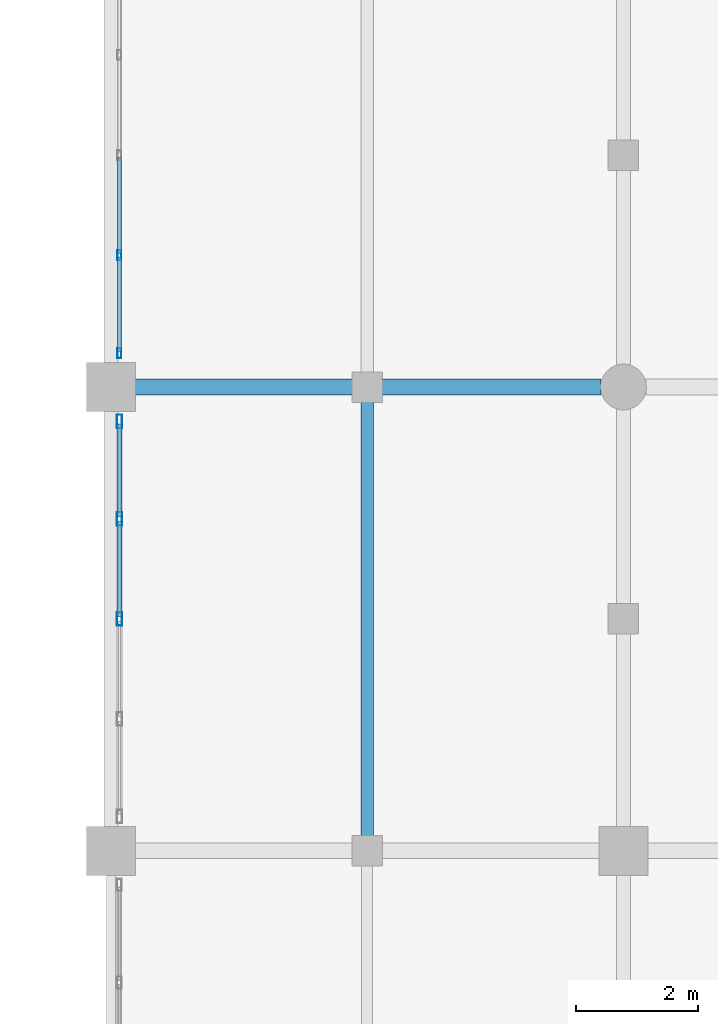
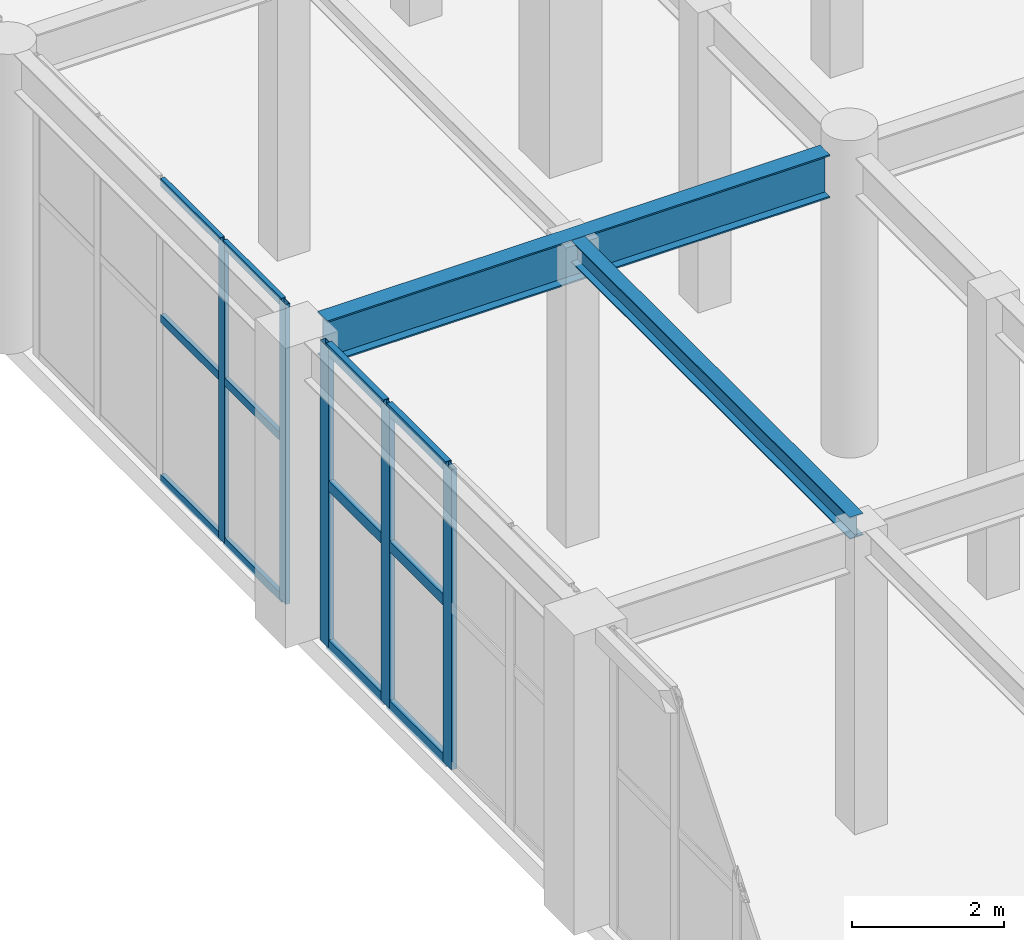
# One storey, part 30 of 128: 17 members, 2 beams, 2 elements without a shape of their own.
"""IFC4 building model written with IfcOpenShell, lengths in metres."""

from ifc_helpers import new_model, si_unit, direction, frame, origin, origin_2d, place, context, subcontext, project, spatial, hollow_rectangle, i_section, extrude, material, layer, layer_set, material_profile, profile_set, type_object, element, aggregate, save


model = new_model("IFC4")

# Units and contexts
model_context = context("Model", 3, precision=1e-05, world=origin(), true_north=direction((0.0, 1.0)))
body_context = subcontext(model_context, "Body", "Model", "MODEL_VIEW")
ifc_project = project(units=[si_unit("LENGTHUNIT", "METRE"), si_unit("AREAUNIT", "SQUARE_METRE"), si_unit("VOLUMEUNIT", "CUBIC_METRE"), si_unit("PLANEANGLEUNIT", "RADIAN"), si_unit("MASSUNIT", "GRAM", prefix="KILO")], contexts=[model_context])

# Site, building, storey
site_placement = place(None, origin())
site = spatial("IfcSite", under=ifc_project, at=site_placement, CompositionType="ELEMENT")
building_placement = place(site_placement, origin())
building = spatial("IfcBuilding", under=site, at=building_placement, Name="Xicomal Pleat Aquarium", CompositionType="ELEMENT")
storey_placement = place(building_placement, frame((0.0, 0.0, 5.39990234375)))
storey = spatial("IfcBuildingStorey", under=building, at=storey_placement, Name="L02", CompositionType="ELEMENT", Elevation=5.39990234375)

# Beams
ifc_material_1 = material(Name="Structural steel A992 Gr 50", Category="steel")
ifc_material_profile_1 = material_profile(ifc_material_1, i_section(OverallWidth=0.205078125, OverallDepth=0.35400390625, WebThickness=0.009521484375, FlangeThickness=0.016845703125, at=origin_2d()), Name="IR 360x79")
ifc_profile_set_1 = profile_set([ifc_material_profile_1], Name="Structural steel A992 Gr 50")
beam_type_1 = type_object("IfcBeamType", Name="BM-STL-IR360", PredefinedType="JOIST", material=ifc_profile_set_1)
beam_1_placement = place(storey_placement, frame((48.0, 45.73095703125, 4.64306640625), z_axis=(0.0, 1.0, 0.0), x_axis=(-1.0, 0.0, 0.0)))
element("IfcBeam", 1, at=beam_1_placement, inside=storey, type_object=beam_type_1, Name="L02 framing beam FBJ-L02-06-G-1", PredefinedType="JOIST", context=body_context, shape_type="SweptSolid", body=[
    extrude(i_section(OverallWidth=0.205078125, OverallDepth=0.35400390625, WebThickness=0.009521484375, FlangeThickness=0.016845703125, at=origin_2d()), origin(), (0.0, 0.0, 1.0), 7.338134765625),
])
ifc_material_2 = material(Name="Structural steel A992 Gr 50", Category="steel")
ifc_material_profile_2 = material_profile(ifc_material_2, i_section(OverallWidth=0.256103515625, OverallDepth=0.693115234375, WebThickness=0.014404296875, FlangeThickness=0.023681640625, at=origin_2d()), Name="IR 690x170")
ifc_profile_set_2 = profile_set([ifc_material_profile_2], Name="Structural steel A992 Gr 50")
beam_type_2 = type_object("IfcBeamType", Name="BM-STL-IR690", PredefinedType="BEAM", material=ifc_profile_set_2)
beam_2_placement = place(storey_placement, frame((44.195068359375, 53.199951171875, 4.4736328125), z_axis=(1.0, 0.0, 0.0), x_axis=(0.0, 1.0, 0.0)))
element("IfcBeam", 2, at=beam_2_placement, inside=storey, type_object=beam_type_2, Name="L02 framing beam FGX-L02-06-07-H", PredefinedType="BEAM", context=body_context, shape_type="SweptSolid", body=[
    extrude(i_section(OverallWidth=0.256103515625, OverallDepth=0.693115234375, WebThickness=0.014404296875, FlangeThickness=0.023681640625, at=origin_2d()), origin(), (0.0, 0.0, 1.0), 7.635009765625),
])

# Curtain wall, members
ifc_material_3 = material(Name="Bronze anodized aluminium 6063-T6", Category="aluminium")
ifc_layer_1 = layer(ifc_material_3, 0.159912109375)
ifc_layer_set_1 = layer_set([ifc_layer_1], Name="Bronze anodized aluminium 6063-T6")
curtain_wall_type_1 = type_object("IfcCurtainWallType", Name="CW-SYS-02", PredefinedType="NOTDEFINED", material=ifc_layer_set_1)
curtain_wall_1_placement = place(storey_placement, origin())
curtain_wall_1 = element("IfcCurtainWall", 3, at=curtain_wall_1_placement, inside=storey, type_object=curtain_wall_type_1, Name="L02 unitised curtain wall CW-L02-099", PredefinedType="NOTDEFINED")
ifc_material_4 = material(Name="Bronze anodized aluminium 6063-T6", Category="aluminium")
ifc_material_profile_3 = material_profile(ifc_material_4, hollow_rectangle(XDim=0.06494140625, YDim=0.159912109375, WallThickness=0.00390625, at=origin_2d()), Name="ALU MULL 65x160")
ifc_profile_set_3 = profile_set([ifc_material_profile_3], Name="Bronze anodized aluminium 6063-T6")
member_type_1 = type_object("IfcMemberType", Name="CWM-65x160", PredefinedType="MULLION", material=ifc_profile_set_3)
member_1_placement = place(storey_placement, frame((43.93994140625, 53.75244140625, 0.0), z_axis=(0.0, 0.0, 1.0), x_axis=(-1.0, 0.0, 0.0)))
member_1 = element("IfcMember", 4, at=member_1_placement, type_object=member_type_1, Name="CW-02 mullion 1", PredefinedType="MULLION", context=body_context, shape_type="SweptSolid", body=[
    extrude(hollow_rectangle(XDim=0.06494140625, YDim=0.159912109375, WallThickness=0.00390625, at=origin_2d()), origin(), (0.0, 0.0, 1.0), 4.820068359375),
])
member_2_placement = place(storey_placement, frame((43.93994140625, 55.360107421875, 0.0), z_axis=(0.0, 0.0, 1.0), x_axis=(-1.0, 0.0, 0.0)))
member_2 = element("IfcMember", 5, at=member_2_placement, type_object=member_type_1, Name="CW-02 mullion 2", PredefinedType="MULLION", context=body_context, shape_type="SweptSolid", body=[
    extrude(hollow_rectangle(XDim=0.06494140625, YDim=0.159912109375, WallThickness=0.00390625, at=origin_2d()), origin(), (0.0, 0.0, 1.0), 4.820068359375),
])

ifc_material_5 = material(Name="Bronze anodized aluminium 6063-T6", Category="aluminium")
ifc_layer_2 = layer(ifc_material_5, 0.159912109375)
ifc_layer_set_2 = layer_set([ifc_layer_2], Name="Bronze anodized aluminium 6063-T6")
curtain_wall_type_2 = type_object("IfcCurtainWallType", Name="CW-SYS-12", PredefinedType="NOTDEFINED", material=ifc_layer_set_2)
curtain_wall_2_placement = place(storey_placement, origin())
curtain_wall_2 = element("IfcCurtainWall", 6, at=curtain_wall_2_placement, inside=storey, type_object=curtain_wall_type_2, Name="L02 unitised curtain wall CW-L02-098", PredefinedType="NOTDEFINED")
ifc_material_6 = material(Name="Bronze anodized aluminium 6063-T6", Category="aluminium")
ifc_material_profile_4 = material_profile(ifc_material_6, hollow_rectangle(XDim=0.0849609375, YDim=0.219970703125, WallThickness=0.0048828125, at=origin_2d()), Name="ALU MULL 85x220")
ifc_profile_set_4 = profile_set([ifc_material_profile_4], Name="Bronze anodized aluminium 6063-T6")
member_type_2 = type_object("IfcMemberType", Name="CWM-85x220", PredefinedType="MULLION", material=ifc_profile_set_4)
member_3_placement = place(storey_placement, frame((43.93994140625, 49.39990234375, 0.0), z_axis=(0.0, 0.0, 1.0), x_axis=(-1.0, 0.0, 0.0)))
member_3 = element("IfcMember", 7, at=member_3_placement, type_object=member_type_2, Name="CW-12 mullion 3", PredefinedType="MULLION", context=body_context, shape_type="SweptSolid", body=[
    extrude(hollow_rectangle(XDim=0.0849609375, YDim=0.219970703125, WallThickness=0.0048828125, at=origin_2d()), origin(), (0.0, 0.0, 1.0), 4.820068359375),
])
member_4_placement = place(storey_placement, frame((43.93994140625, 51.0400390625, 0.0), z_axis=(0.0, 0.0, 1.0), x_axis=(-1.0, 0.0, 0.0)))
member_4 = element("IfcMember", 8, at=member_4_placement, type_object=member_type_2, Name="CW-12 mullion 4", PredefinedType="MULLION", context=body_context, shape_type="SweptSolid", body=[
    extrude(hollow_rectangle(XDim=0.0849609375, YDim=0.219970703125, WallThickness=0.0048828125, at=origin_2d()), origin(), (0.0, 0.0, 1.0), 4.820068359375),
])
member_5_placement = place(storey_placement, frame((43.93994140625, 52.637451171875, 0.0), z_axis=(0.0, 0.0, 1.0), x_axis=(-1.0, 0.0, 0.0)))
member_5 = element("IfcMember", 9, at=member_5_placement, type_object=member_type_2, Name="CW-12 mullion 5", PredefinedType="MULLION", context=body_context, shape_type="SweptSolid", body=[
    extrude(hollow_rectangle(XDim=0.0849609375, YDim=0.219970703125, WallThickness=0.0048828125, at=origin_2d()), origin(), (0.0, 0.0, 1.0), 4.820068359375),
])

# Member
ifc_material_7 = material(Name="Bronze anodized aluminium 6063-T6", Category="aluminium")
ifc_material_profile_5 = material_profile(ifc_material_7, hollow_rectangle(XDim=0.06494140625, YDim=0.1298828125, WallThickness=0.00390625, at=origin_2d()), Name="ALU TRAN 65x130")
ifc_profile_set_5 = profile_set([ifc_material_profile_5], Name="Bronze anodized aluminium 6063-T6")
member_type_3 = type_object("IfcMemberType", Name="CWT-65x130", PredefinedType="USERDEFINED", material=ifc_profile_set_5)
member_6_placement = place(storey_placement, frame((43.93994140625, 53.784912109375, 0.03271484375), z_axis=(0.0, 1.0, 0.0), x_axis=(-1.0, 0.0, 0.0)))
member_6 = element("IfcMember", 10, at=member_6_placement, type_object=member_type_3, Name="CW-02 transom 1.1", ObjectType="TRANSOM", PredefinedType="USERDEFINED", context=body_context, shape_type="SweptSolid", body=[
    extrude(hollow_rectangle(XDim=0.06494140625, YDim=0.1298828125, WallThickness=0.00390625, at=origin_2d()), origin(), (0.0, 0.0, 1.0), 1.54248046875),
])

member_7_placement = place(storey_placement, frame((43.93994140625, 53.784912109375, 2.60302734375), z_axis=(0.0, 1.0, 0.0), x_axis=(-1.0, 0.0, 0.0)))
member_7 = element("IfcMember", 11, at=member_7_placement, type_object=member_type_3, Name="CW-02 transom 1.2", ObjectType="TRANSOM", PredefinedType="USERDEFINED", context=body_context, shape_type="SweptSolid", body=[
    extrude(hollow_rectangle(XDim=0.06494140625, YDim=0.1298828125, WallThickness=0.00390625, at=origin_2d()), origin(), (0.0, 0.0, 1.0), 1.54248046875),
])

member_8_placement = place(storey_placement, frame((43.93994140625, 53.784912109375, 4.78759765625), z_axis=(0.0, 1.0, 0.0), x_axis=(-1.0, 0.0, 0.0)))
member_8 = element("IfcMember", 12, at=member_8_placement, type_object=member_type_3, Name="CW-02 transom 1.3", ObjectType="TRANSOM", PredefinedType="USERDEFINED", context=body_context, shape_type="SweptSolid", body=[
    extrude(hollow_rectangle(XDim=0.06494140625, YDim=0.1298828125, WallThickness=0.00390625, at=origin_2d()), origin(), (0.0, 0.0, 1.0), 1.54248046875),
])

member_9_placement = place(storey_placement, frame((43.93994140625, 55.392578125, 0.03271484375), z_axis=(0.0, 1.0, 0.0), x_axis=(-1.0, 0.0, 0.0)))
member_9 = element("IfcMember", 13, at=member_9_placement, type_object=member_type_3, Name="CW-02 transom 2.1", ObjectType="TRANSOM", PredefinedType="USERDEFINED", context=body_context, shape_type="SweptSolid", body=[
    extrude(hollow_rectangle(XDim=0.06494140625, YDim=0.1298828125, WallThickness=0.00390625, at=origin_2d()), origin(), (0.0, 0.0, 1.0), 1.574951171875),
])

member_10_placement = place(storey_placement, frame((43.93994140625, 55.392578125, 2.60302734375), z_axis=(0.0, 1.0, 0.0), x_axis=(-1.0, 0.0, 0.0)))
member_10 = element("IfcMember", 14, at=member_10_placement, type_object=member_type_3, Name="CW-02 transom 2.2", ObjectType="TRANSOM", PredefinedType="USERDEFINED", context=body_context, shape_type="SweptSolid", body=[
    extrude(hollow_rectangle(XDim=0.06494140625, YDim=0.1298828125, WallThickness=0.00390625, at=origin_2d()), origin(), (0.0, 0.0, 1.0), 1.574951171875),
])

member_11_placement = place(storey_placement, frame((43.93994140625, 55.392578125, 4.78759765625), z_axis=(0.0, 1.0, 0.0), x_axis=(-1.0, 0.0, 0.0)))
member_11 = element("IfcMember", 15, at=member_11_placement, type_object=member_type_3, Name="CW-02 transom 2.3", ObjectType="TRANSOM", PredefinedType="USERDEFINED", context=body_context, shape_type="SweptSolid", body=[
    extrude(hollow_rectangle(XDim=0.06494140625, YDim=0.1298828125, WallThickness=0.00390625, at=origin_2d()), origin(), (0.0, 0.0, 1.0), 1.574951171875),
])

aggregate(curtain_wall_1, [member_1, member_2, member_6, member_7, member_8, member_9, member_10, member_11])

ifc_material_8 = material(Name="Bronze anodized aluminium 6063-T6", Category="aluminium")
ifc_material_profile_6 = material_profile(ifc_material_8, hollow_rectangle(XDim=0.0849609375, YDim=0.169921875, WallThickness=0.0048828125, at=origin_2d()), Name="ALU TRAN 85x170")
ifc_profile_set_6 = profile_set([ifc_material_profile_6], Name="Bronze anodized aluminium 6063-T6")
member_type_4 = type_object("IfcMemberType", Name="CWT-85x170", PredefinedType="USERDEFINED", material=ifc_profile_set_6)
member_12_placement = place(storey_placement, frame((43.93994140625, 49.4423828125, 0.04248046875), z_axis=(0.0, 1.0, 0.0), x_axis=(-1.0, 0.0, 0.0)))
member_12 = element("IfcMember", 16, at=member_12_placement, type_object=member_type_4, Name="CW-12 transom 3.1", ObjectType="TRANSOM", PredefinedType="USERDEFINED", context=body_context, shape_type="SweptSolid", body=[
    extrude(hollow_rectangle(XDim=0.0849609375, YDim=0.169921875, WallThickness=0.0048828125, at=origin_2d()), origin(), (0.0, 0.0, 1.0), 1.55517578125),
])

member_13_placement = place(storey_placement, frame((43.93994140625, 49.4423828125, 2.60302734375), z_axis=(0.0, 1.0, 0.0), x_axis=(-1.0, 0.0, 0.0)))
member_13 = element("IfcMember", 17, at=member_13_placement, type_object=member_type_4, Name="CW-12 transom 3.2", ObjectType="TRANSOM", PredefinedType="USERDEFINED", context=body_context, shape_type="SweptSolid", body=[
    extrude(hollow_rectangle(XDim=0.0849609375, YDim=0.169921875, WallThickness=0.0048828125, at=origin_2d()), origin(), (0.0, 0.0, 1.0), 1.55517578125),
])

member_14_placement = place(storey_placement, frame((43.93994140625, 49.4423828125, 4.777587890625), z_axis=(0.0, 1.0, 0.0), x_axis=(-1.0, 0.0, 0.0)))
member_14 = element("IfcMember", 18, at=member_14_placement, type_object=member_type_4, Name="CW-12 transom 3.3", ObjectType="TRANSOM", PredefinedType="USERDEFINED", context=body_context, shape_type="SweptSolid", body=[
    extrude(hollow_rectangle(XDim=0.0849609375, YDim=0.169921875, WallThickness=0.0048828125, at=origin_2d()), origin(), (0.0, 0.0, 1.0), 1.55517578125),
])

member_15_placement = place(storey_placement, frame((43.93994140625, 51.08251953125, 0.04248046875), z_axis=(0.0, 1.0, 0.0), x_axis=(-1.0, 0.0, 0.0)))
member_15 = element("IfcMember", 19, at=member_15_placement, type_object=member_type_4, Name="CW-12 transom 4.1", ObjectType="TRANSOM", PredefinedType="USERDEFINED", context=body_context, shape_type="SweptSolid", body=[
    extrude(hollow_rectangle(XDim=0.0849609375, YDim=0.169921875, WallThickness=0.0048828125, at=origin_2d()), origin(), (0.0, 0.0, 1.0), 1.512451171875),
])

member_16_placement = place(storey_placement, frame((43.93994140625, 51.08251953125, 2.60302734375), z_axis=(0.0, 1.0, 0.0), x_axis=(-1.0, 0.0, 0.0)))
member_16 = element("IfcMember", 20, at=member_16_placement, type_object=member_type_4, Name="CW-12 transom 4.2", ObjectType="TRANSOM", PredefinedType="USERDEFINED", context=body_context, shape_type="SweptSolid", body=[
    extrude(hollow_rectangle(XDim=0.0849609375, YDim=0.169921875, WallThickness=0.0048828125, at=origin_2d()), origin(), (0.0, 0.0, 1.0), 1.512451171875),
])

member_17_placement = place(storey_placement, frame((43.93994140625, 51.08251953125, 4.777587890625), z_axis=(0.0, 1.0, 0.0), x_axis=(-1.0, 0.0, 0.0)))
member_17 = element("IfcMember", 21, at=member_17_placement, type_object=member_type_4, Name="CW-12 transom 4.3", ObjectType="TRANSOM", PredefinedType="USERDEFINED", context=body_context, shape_type="SweptSolid", body=[
    extrude(hollow_rectangle(XDim=0.0849609375, YDim=0.169921875, WallThickness=0.0048828125, at=origin_2d()), origin(), (0.0, 0.0, 1.0), 1.512451171875),
])

aggregate(curtain_wall_2, [member_3, member_4, member_5, member_12, member_13, member_14, member_15, member_16, member_17])

save(model, "model.ifc")
